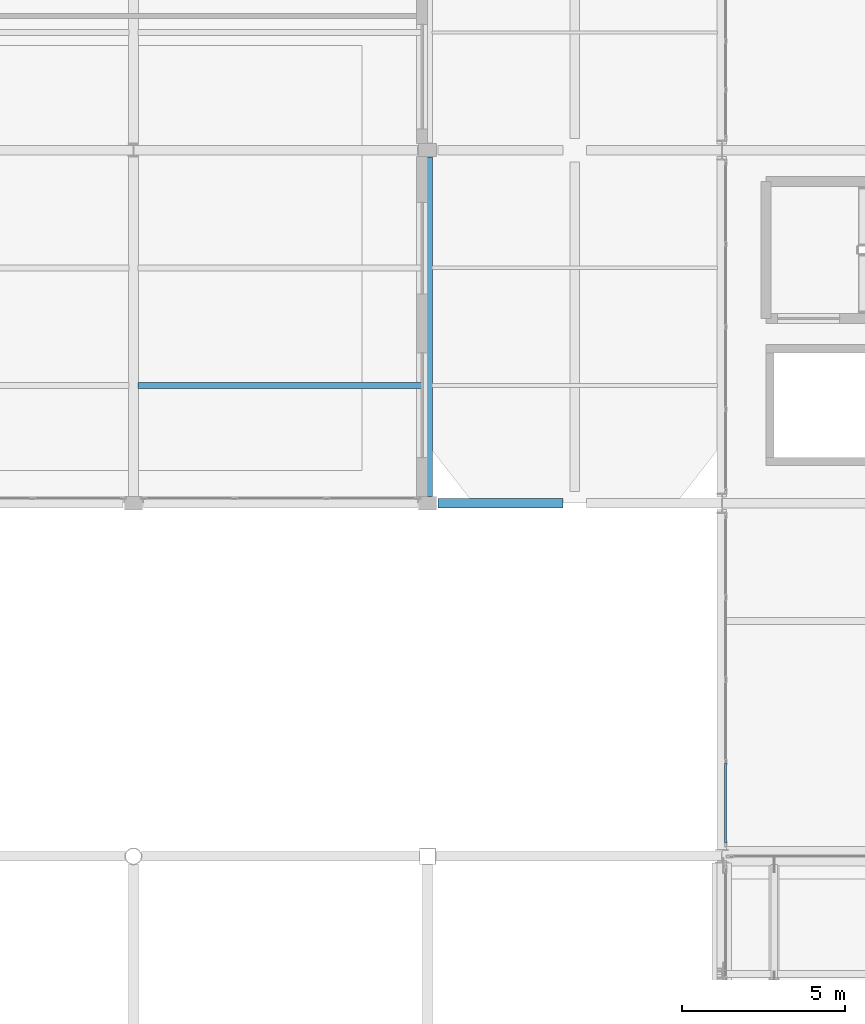
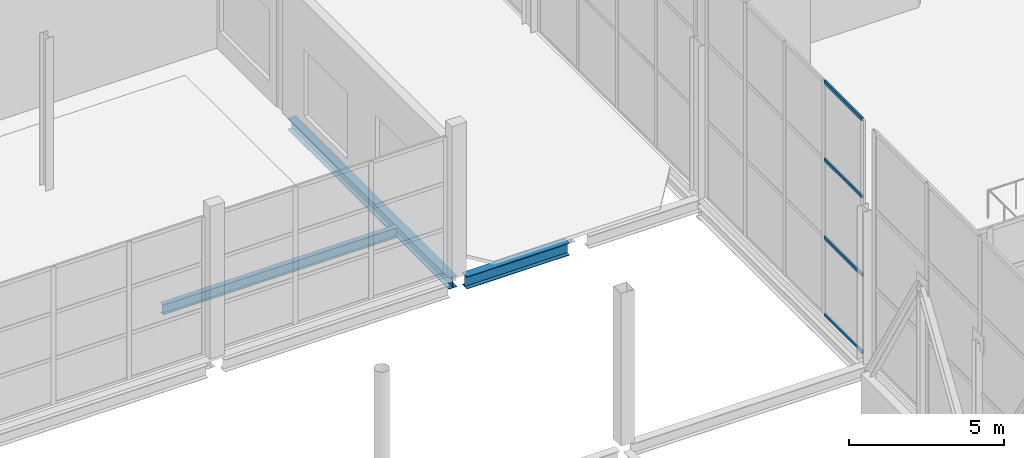
# One storey, part 80 of 191: 4 members, 3 beams, 1 element without a shape of its own.
"""IFC4 building model written with IfcOpenShell, lengths in metres."""

from ifc_helpers import new_model, si_unit, direction, frame, origin, origin_2d, place, context, subcontext, project, spatial, hollow_rectangle, i_section, extrude, material, layer, layer_set, material_profile, profile_set, type_object, element, aggregate, save


model = new_model("IFC4")

# Units and contexts
model_context = context("Model", 3, precision=1e-05, world=origin(), true_north=direction((0.0, 1.0)))
body_context = subcontext(model_context, "Body", "Model", "MODEL_VIEW")
ifc_project = project(units=[si_unit("LENGTHUNIT", "METRE"), si_unit("AREAUNIT", "SQUARE_METRE"), si_unit("VOLUMEUNIT", "CUBIC_METRE"), si_unit("PLANEANGLEUNIT", "RADIAN"), si_unit("MASSUNIT", "GRAM", prefix="KILO")], contexts=[model_context])

# Site, building, storey
site_placement = place(None, origin())
site = spatial("IfcSite", under=ifc_project, at=site_placement, CompositionType="ELEMENT")
building_placement = place(site_placement, origin())
building = spatial("IfcBuilding", under=site, at=building_placement, Name="Tamarisk Ironworks Central Station", CompositionType="ELEMENT")
storey_placement = place(building_placement, frame((0.0, 0.0, 6.60009765625)))
storey = spatial("IfcBuildingStorey", under=building, at=storey_placement, Name="L01", CompositionType="ELEMENT", Elevation=6.60009765625)

# Beams
ifc_material_1 = material(Name="Structural steel S355J2", Category="steel")
ifc_material_profile_1 = material_profile(ifc_material_1, i_section(OverallWidth=0.179931640625, OverallDepth=0.39990234375, WebThickness=0.008544921875, FlangeThickness=0.013427734375, at=origin_2d()), Name="IPE 400")
ifc_profile_set_1 = profile_set([ifc_material_profile_1], Name="Structural steel S355J2")
beam_type_1 = type_object("IfcBeamType", Name="BM-B04", PredefinedType="BEAM", material=ifc_profile_set_1)
beam_1_placement = place(storey_placement, frame((36.135009765625, 93.60009765625, -0.4501953125), z_axis=(1.0, 0.0, 0.0), x_axis=(0.0, 1.0, 0.0)))
element("IfcBeam", 1, at=beam_1_placement, inside=storey, type_object=beam_type_1, Name="L01 secondary composite beam 0066", PredefinedType="BEAM", context=body_context, shape_type="SweptSolid", body=[
    extrude(i_section(OverallWidth=0.179931640625, OverallDepth=0.39990234375, WebThickness=0.008544921875, FlangeThickness=0.013427734375, at=origin_2d()), origin(), (0.0, 0.0, 1.0), 8.72998046875),
])
ifc_material_profile_2 = material_profile(ifc_material_1, i_section(OverallWidth=0.300048828125, OverallDepth=0.489990234375, WebThickness=0.011962890625, FlangeThickness=0.02294921875, at=origin_2d()), Name="HEA 500")
ifc_profile_set_2 = profile_set([ifc_material_profile_2], Name="Structural steel S355J2")
beam_type_2 = type_object("IfcBeamType", Name="BM-G05", PredefinedType="BEAM", material=ifc_profile_set_2)
beam_2_placement = place(storey_placement, frame((45.31298828125, 90.0, -0.385009765625), z_axis=(1.0, 0.0, 0.0), x_axis=(0.0, 1.0, 0.0)))
element("IfcBeam", 2, at=beam_2_placement, inside=storey, type_object=beam_type_2, Name="L01 primary girder X-0098", PredefinedType="BEAM", context=body_context, shape_type="SweptSolid", body=[
    extrude(i_section(OverallWidth=0.300048828125, OverallDepth=0.489990234375, WebThickness=0.011962890625, FlangeThickness=0.02294921875, at=origin_2d()), origin(), (0.0, 0.0, 1.0), 3.823974609375),
])
ifc_material_profile_3 = material_profile(ifc_material_1, i_section(OverallWidth=0.300048828125, OverallDepth=0.43994140625, WebThickness=0.011474609375, FlangeThickness=0.02099609375, at=origin_2d()), Name="HEA 450")
ifc_profile_set_3 = profile_set([ifc_material_profile_3], Name="Structural steel S355J2")
beam_type_3 = type_object("IfcBeamType", Name="BM-G06", PredefinedType="BEAM", material=ifc_profile_set_3)
beam_3_placement = place(storey_placement, frame((45.0, 90.212890625, -0.47021484375), z_axis=(0.0, 1.0, 0.0), x_axis=(-1.0, 0.0, 0.0)))
element("IfcBeam", 3, at=beam_3_placement, inside=storey, type_object=beam_type_3, Name="L01 primary girder Y-0202", PredefinedType="BEAM", context=body_context, shape_type="SweptSolid", body=[
    extrude(i_section(OverallWidth=0.300048828125, OverallDepth=0.43994140625, WebThickness=0.011474609375, FlangeThickness=0.02099609375, at=origin_2d()), origin(), (0.0, 0.0, 1.0), 10.3740234375),
])

# Curtain wall, members
ifc_material_2 = material(Name="Anodized aluminium alloy 6063-T6", Category="aluminium")
ifc_layer = layer(ifc_material_2, 0.179931640625)
ifc_layer_set = layer_set([ifc_layer], Name="Anodized aluminium alloy 6063-T6")
curtain_wall_type = type_object("IfcCurtainWallType", Name="CW-07", PredefinedType="USERDEFINED", material=ifc_layer_set)
curtain_wall_placement = place(storey_placement, origin())
curtain_wall = element("IfcCurtainWall", 4, at=curtain_wall_placement, inside=storey, type_object=curtain_wall_type, Name="Concourse W track-overlook curtain wall 06", ObjectType="GLAZED CURTAIN WALL", PredefinedType="USERDEFINED")
ifc_material_profile_4 = material_profile(ifc_material_2, hollow_rectangle(XDim=0.06494140625, YDim=0.135009765625, WallThickness=0.00341796875, at=origin_2d()), Name="ALUM 135x65")
ifc_profile_set_4 = profile_set([ifc_material_profile_4], Name="Anodized aluminium alloy 6063-T6")
member_type = type_object("IfcMemberType", Name="CWT-02", PredefinedType="USERDEFINED", material=ifc_profile_set_4)
member_1_placement = place(storey_placement, frame((54.1201171875, 79.611083984375, 0.032470703125), z_axis=(0.0, 1.0, 0.0), x_axis=(-1.0, 0.0, 0.0)))
member_1 = element("IfcMember", 5, at=member_1_placement, type_object=member_type, Name="CW07 transom 1.1", ObjectType="TRANSOM", PredefinedType="USERDEFINED", context=body_context, shape_type="SweptSolid", body=[
    extrude(hollow_rectangle(XDim=0.06494140625, YDim=0.135009765625, WallThickness=0.00341796875, at=origin_2d()), origin(), (0.0, 0.0, 1.0), 2.435302734375),
])
member_2_placement = place(storey_placement, frame((54.1201171875, 79.611083984375, 3.0732421875), z_axis=(0.0, 1.0, 0.0), x_axis=(-1.0, 0.0, 0.0)))
member_2 = element("IfcMember", 6, at=member_2_placement, type_object=member_type, Name="CW07 transom 1.2", ObjectType="TRANSOM", PredefinedType="USERDEFINED", context=body_context, shape_type="SweptSolid", body=[
    extrude(hollow_rectangle(XDim=0.06494140625, YDim=0.135009765625, WallThickness=0.00341796875, at=origin_2d()), origin(), (0.0, 0.0, 1.0), 2.435302734375),
])
member_3_placement = place(storey_placement, frame((54.1201171875, 79.611083984375, 6.146484375), z_axis=(0.0, 1.0, 0.0), x_axis=(-1.0, 0.0, 0.0)))
member_3 = element("IfcMember", 7, at=member_3_placement, type_object=member_type, Name="CW07 transom 1.3", ObjectType="TRANSOM", PredefinedType="USERDEFINED", context=body_context, shape_type="SweptSolid", body=[
    extrude(hollow_rectangle(XDim=0.06494140625, YDim=0.135009765625, WallThickness=0.00341796875, at=origin_2d()), origin(), (0.0, 0.0, 1.0), 2.435302734375),
])
member_4_placement = place(storey_placement, frame((54.1201171875, 79.611083984375, 9.1875), z_axis=(0.0, 1.0, 0.0), x_axis=(-1.0, 0.0, 0.0)))
member_4 = element("IfcMember", 8, at=member_4_placement, type_object=member_type, Name="CW07 transom 1.4", ObjectType="TRANSOM", PredefinedType="USERDEFINED", context=body_context, shape_type="SweptSolid", body=[
    extrude(hollow_rectangle(XDim=0.06494140625, YDim=0.135009765625, WallThickness=0.00341796875, at=origin_2d()), origin(), (0.0, 0.0, 1.0), 2.435302734375),
])
aggregate(curtain_wall, [member_1, member_2, member_3, member_4])

save(model, "model.ifc")
